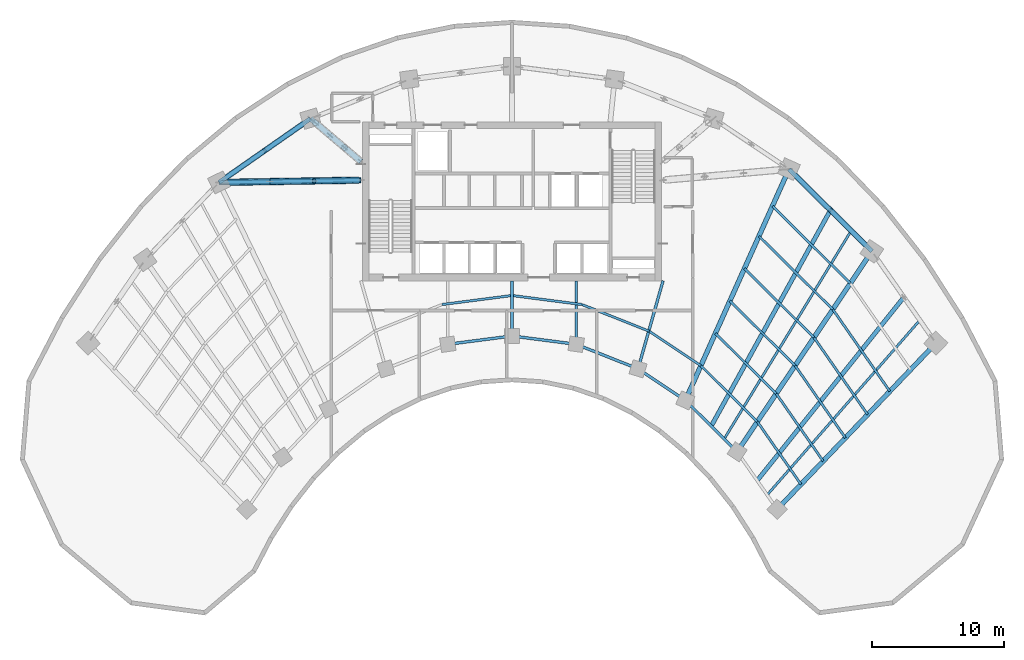
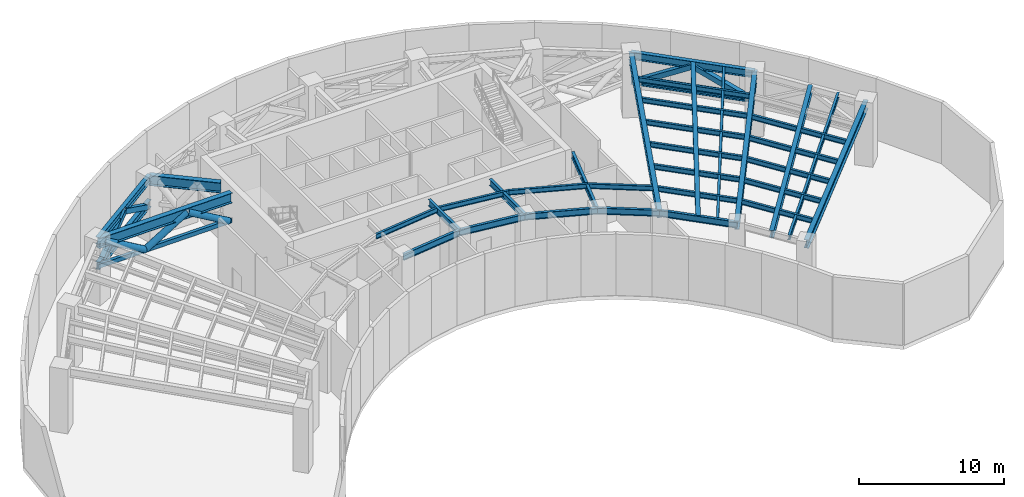
# One storey, part 2 of 10: 36 beams, 8 members.
"""IFC4 building model written with IfcOpenShell, lengths in metres."""

from ifc_helpers import new_model, si_unit, direction, frame, origin, origin_2d, place, context, subcontext, project, spatial, hollow_rectangle, hollow_circle, i_section, extrude, source, transform, mapped, material, material_profile, profile_set, type_object, type_shapes, element, save


model = new_model("IFC4")

# Units and contexts
model_context = context("Model", 3, precision=1e-05, world=origin(), true_north=direction((0.0, 1.0)))
body_context = subcontext(model_context, "Body", "Model", "MODEL_VIEW")
ifc_project = project(units=[si_unit("LENGTHUNIT", "METRE"), si_unit("AREAUNIT", "SQUARE_METRE"), si_unit("VOLUMEUNIT", "CUBIC_METRE"), si_unit("PLANEANGLEUNIT", "RADIAN"), si_unit("MASSUNIT", "GRAM", prefix="KILO")], contexts=[model_context])

# Site, building, storey
site_placement = place(None, origin())
site = spatial("IfcSite", under=ifc_project, at=site_placement, CompositionType="ELEMENT")
building_placement = place(site_placement, origin())
building = spatial("IfcBuilding", under=site, at=building_placement, Name="Breltana Convention Tower", CompositionType="ELEMENT")
storey_placement = place(building_placement, frame((0.0, 0.0, 85.800048828125)))
storey = spatial("IfcBuildingStorey", under=building, at=storey_placement, Name="L20", CompositionType="ELEMENT", Elevation=85.800048828125)

# Beam
ifc_material_1 = material(Name="Steel ASTM A992 Grade 50", Category="steel")
ifc_material_profile_1 = material_profile(ifc_material_1, i_section(OverallWidth=0.39990234375, OverallDepth=0.85595703125, WebThickness=0.018310546875, FlangeThickness=0.029296875, at=origin_2d()), Name="W33X201")
ifc_profile_set_1 = profile_set([ifc_material_profile_1], Name="Steel ASTM A992 Grade 50")
beam_type_1 = type_object("IfcBeamType", Name="BM-OT-W33X201", PredefinedType="USERDEFINED", material=ifc_profile_set_1)
shared_shape_1 = source(origin(), body_context, "Body", "SweptSolid", [
    extrude(i_section(OverallWidth=0.39990234375, OverallDepth=0.85595703125, WebThickness=0.018310546875, FlangeThickness=0.029296875, at=origin_2d()), origin(), (0.0, 0.0, 1.0), 10.7138671875),
])
type_shapes(beam_type_1, [shared_shape_1])
beam_1_placement = place(storey_placement, frame((36.60009765625, 67.800048828125, 4.721923828125), z_axis=(-0.999869477978, -0.016156330277, 0.0), x_axis=(0.016156330277, -0.999869477978, 0.0)))
element("IfcBeam", 1, at=beam_1_placement, inside=storey, type_object=beam_type_1, Name="L20 Outrigger Top Chord R03W", ObjectType="GIRDER", PredefinedType="USERDEFINED", context=body_context, shape_type="MappedRepresentation", body=[
    mapped(shared_shape_1, transform((0.0, 0.0, 0.0), scale=1.0)),
])

# Members
ifc_material_2 = material(Name="Steel EN 10210 S355J2H", Category="steel")
ifc_material_profile_2 = material_profile(ifc_material_2, hollow_rectangle(XDim=0.25, YDim=0.35009765625, WallThickness=0.011962890625, at=origin_2d()), Name="RHS350X250X12")
ifc_profile_set_2 = profile_set([ifc_material_profile_2], Name="Steel EN 10210 S355J2H")
member_type_1 = type_object("IfcMemberType", Name="MB-CH-RHS350X250X12", PredefinedType="CHORD", material=ifc_profile_set_2)
shared_shape_2 = source(origin(), body_context, "Body", "SweptSolid", [
    extrude(hollow_rectangle(XDim=0.25, YDim=0.35009765625, WallThickness=0.011962890625, at=origin_2d()), origin(), (0.0, 0.0, 1.0), 10.7138671875),
])
type_shapes(member_type_1, [shared_shape_2])
member_1_placement = place(storey_placement, frame((36.60009765625, 67.800048828125, 2.75), z_axis=(-0.999869477978, -0.016156330277, 0.0), x_axis=(0.016156330277, -0.999869477978, 0.0)))
element("IfcMember", 2, at=member_1_placement, inside=storey, type_object=member_type_1, Name="L20 Outrigger Truss Bottom Chord R03W", PredefinedType="CHORD", context=body_context, shape_type="MappedRepresentation", body=[
    mapped(shared_shape_2, transform((0.0, 0.0, 0.0), scale=1.0)),
])
ifc_material_profile_3 = material_profile(ifc_material_2, hollow_circle(Radius=0.25390625, WallThickness=0.02001953125, at=origin_2d()), Name="CHS508X20")
ifc_profile_set_3 = profile_set([ifc_material_profile_3], Name="Steel EN 10210 S355J2H")
member_type_2 = type_object("IfcMemberType", Name="MB-BR-CHS508X20", PredefinedType="BRACE", material=ifc_profile_set_3)
shared_shape_3 = source(origin(), body_context, "Body", "SweptSolid", [
    extrude(hollow_circle(Radius=0.25390625, WallThickness=0.02001953125, at=origin_2d()), origin(), (0.0, 0.0, 1.0), 3.876708984375),
])
for number, where, z_axis, x_axis, name in (
    (3, (36.39990234375, 67.796875, 2.75), (-0.860863204725, -0.013917393434, 0.50864609397), (0.016164676285, -0.999869343085, 0.0), "L20 Outrigger Truss Diagonal 1 R03W"),
    (4, (33.0625, 67.742919921875, 4.721923828125), (-0.860863204725, -0.013917393434, -0.50864609397), (0.016164676285, -0.999869343085, 0.0), "L20 Outrigger Truss Diagonal 2 R03W"),
    (5, (29.72509765625, 67.68896484375, 2.75), (-0.860863204725, -0.013917393434, 0.50864609397), (0.016164676285, -0.999869343085, 0.0), "L20 Outrigger Truss Diagonal 3 R03W"),
):
    element("IfcMember", number, at=place(storey_placement, frame(where, z_axis=z_axis, x_axis=x_axis)), inside=storey, type_object=member_type_2, Name=name, PredefinedType="BRACE", context=body_context, shape_type="MappedRepresentation", body=[
        mapped(shared_shape_3, transform((0.0, 0.0, 0.0), scale=1.0)),
    ])

# Beams
shared_shape_4 = source(origin(), body_context, "Body", "SweptSolid", [
    extrude(i_section(OverallWidth=0.39990234375, OverallDepth=0.85595703125, WebThickness=0.018310546875, FlangeThickness=0.029296875, at=origin_2d()), origin(), (0.0, 0.0, 1.0), 5.002197265625),
])
beam_2_placement = place(storey_placement, frame((36.60009765625, 69.199951171875, 4.721923828125), z_axis=(-0.761474293841, 0.648195109377, 0.0), x_axis=(-0.648195109377, -0.761474293841, 0.0)))
element("IfcBeam", 6, at=beam_2_placement, inside=storey, type_object=beam_type_1, Name="L20 Outrigger Top Chord R04N", ObjectType="GIRDER", PredefinedType="USERDEFINED", context=body_context, shape_type="MappedRepresentation", body=[
    mapped(shared_shape_4, transform((0.0, 0.0, 0.0), scale=1.0)),
])
ifc_material_profile_4 = material_profile(ifc_material_1, i_section(OverallWidth=0.323974609375, OverallDepth=0.611083984375, WebThickness=0.0126953125, FlangeThickness=0.01904296875, at=origin_2d()), Name="W24X104")
ifc_profile_set_4 = profile_set([ifc_material_profile_4], Name="Steel ASTM A992 Grade 50")
beam_type_2 = type_object("IfcBeamType", Name="BM-SP-W24X104", PredefinedType="SPANDREL", material=ifc_profile_set_4)
shared_shape_5 = source(origin(), body_context, "Body", "SweptSolid", [
    extrude(i_section(OverallWidth=0.323974609375, OverallDepth=0.611083984375, WebThickness=0.0126953125, FlangeThickness=0.01904296875, at=origin_2d()), origin(), (0.0, 0.0, 1.0), 8.4169921875),
])
for number, where, z_axis, x_axis, name in (
    (7, (25.8876953125, 67.626953125, 2.75), (0.820173800102, 0.572114444519, 0.0), (-0.572114444519, 0.820173800102, 0.0), "L20 Perimeter Belt Truss Sill Chord 03"),
    (8, (25.8876953125, 67.626953125, 4.844482421875), (0.820173800102, 0.572114444519, 0.0), (-0.572114444519, 0.820173800102, 0.0), "L20 Outer Spandrel Beam 03"),
):
    element("IfcBeam", number, at=place(storey_placement, frame(where, z_axis=z_axis, x_axis=x_axis)), inside=storey, type_object=beam_type_2, Name=name, PredefinedType="SPANDREL", context=body_context, shape_type="MappedRepresentation", body=[
        mapped(shared_shape_5, transform((0.0, 0.0, 0.0), scale=1.0)),
    ])

# Members
ifc_material_profile_5 = material_profile(ifc_material_2, hollow_rectangle(XDim=0.39990234375, YDim=0.39990234375, WallThickness=0.01611328125, at=origin_2d()), Name="RHS400X400X16")
ifc_profile_set_5 = profile_set([ifc_material_profile_5], Name="Steel EN 10210 S355J2H")
member_type_3 = type_object("IfcMemberType", Name="MB-BR-RHS400X400X16", PredefinedType="BRACE", material=ifc_profile_set_5)
shared_shape_6 = source(origin(), body_context, "Body", "SweptSolid", [
    extrude(hollow_rectangle(XDim=0.39990234375, YDim=0.39990234375, WallThickness=0.01611328125, at=origin_2d()), origin(), (0.0, 0.0, 1.0), 4.156005859375),
])
member_2_placement = place(storey_placement, frame((26.3388671875, 67.941650390625, 2.75), z_axis=(0.721948237439, 0.503660226835, 0.474465086558), x_axis=(-0.57216280693, 0.820140062651, 0.0)))
element("IfcMember", 9, at=member_2_placement, inside=storey, type_object=member_type_3, Name="L20 Perimeter Belt Truss Brace 03A", PredefinedType="BRACE", context=body_context, shape_type="MappedRepresentation", body=[
    mapped(shared_shape_6, transform((0.0, 0.0, 0.0), scale=1.0)),
])
shared_shape_7 = source(origin(), body_context, "Body", "SweptSolid", [
    extrude(hollow_rectangle(XDim=0.39990234375, YDim=0.39990234375, WallThickness=0.01611328125, at=origin_2d()), origin(), (0.0, 0.0, 1.0), 4.15576171875),
])
member_3_placement = place(storey_placement, frame((29.33935546875, 70.034912109375, 4.721923828125), z_axis=(0.721990955918, 0.503572536544, -0.474493161184), x_axis=(-0.572073024379, 0.820202691277, 0.0)))
element("IfcMember", 10, at=member_3_placement, inside=storey, type_object=member_type_3, Name="L20 Perimeter Belt Truss Brace 03B", PredefinedType="BRACE", context=body_context, shape_type="MappedRepresentation", body=[
    mapped(shared_shape_7, transform((0.0, 0.0, 0.0), scale=1.0)),
])

# Beams
shared_shape_8 = source(origin(), body_context, "Body", "SweptSolid", [
    extrude(i_section(OverallWidth=0.323974609375, OverallDepth=0.611083984375, WebThickness=0.0126953125, FlangeThickness=0.01904296875, at=origin_2d()), origin(), (0.0, 0.0, 1.0), 8.810302734375),
])
for number, where, z_axis, x_axis, name in (
    (11, (68.910400390625, 68.63330078125, 2.75), (0.710120823582, -0.704079836322, 0.0), (0.704079836322, 0.710120823582, 0.0), "L20 Perimeter Belt Truss Sill Chord 09"),
    (12, (68.910400390625, 68.63330078125, 4.844482421875), (0.710120823582, -0.704079836322, 0.0), (0.704079836322, 0.710120823582, 0.0), "L20 Outer Spandrel Beam 09"),
):
    element("IfcBeam", number, at=place(storey_placement, frame(where, z_axis=z_axis, x_axis=x_axis)), inside=storey, type_object=beam_type_2, Name=name, PredefinedType="SPANDREL", context=body_context, shape_type="MappedRepresentation", body=[
        mapped(shared_shape_8, transform((0.0, 0.0, 0.0), scale=1.0)),
    ])

# Members
shared_shape_9 = source(origin(), body_context, "Body", "SweptSolid", [
    extrude(hollow_rectangle(XDim=0.39990234375, YDim=0.39990234375, WallThickness=0.01611328125, at=origin_2d()), origin(), (0.0, 0.0, 1.0), 4.330078125),
])
for number, where, z_axis, x_axis, name in (
    (13, (69.301025390625, 68.24609375, 2.75), (0.632203367956, -0.626847145718, 0.455391652812), (0.704092253317, 0.710108512003, 0.0), "L20 Perimeter Belt Truss Brace 09A"),
    (14, (72.03857421875, 65.53173828125, 4.721923828125), (0.632203367956, -0.626847145718, -0.455391652812), (0.704092253317, 0.710108512003, 0.0), "L20 Perimeter Belt Truss Brace 09B"),
):
    element("IfcMember", number, at=place(storey_placement, frame(where, z_axis=z_axis, x_axis=x_axis)), inside=storey, type_object=member_type_3, Name=name, PredefinedType="BRACE", context=body_context, shape_type="MappedRepresentation", body=[
        mapped(shared_shape_9, transform((0.0, 0.0, 0.0), scale=1.0)),
    ])

# Beams
ifc_material_profile_6 = material_profile(ifc_material_1, i_section(OverallWidth=0.35498046875, OverallDepth=0.696044921875, WebThickness=0.015380859375, FlangeThickness=0.02490234375, at=origin_2d()), Name="W27X146")
ifc_profile_set_6 = profile_set([ifc_material_profile_6], Name="Steel ASTM A992 Grade 50")
beam_type_3 = type_object("IfcBeamType", Name="BM-RG-W27X146", PredefinedType="USERDEFINED", material=ifc_profile_set_6)
shared_shape_10 = source(origin(), body_context, "Body", "SweptSolid", [
    extrude(i_section(OverallWidth=0.35498046875, OverallDepth=0.696044921875, WebThickness=0.015380859375, FlangeThickness=0.02490234375, at=origin_2d()), origin(), (0.0, 0.0, 1.0), 17.341064453125),
])
type_shapes(beam_type_3, [shared_shape_10])
beam_3_placement = place(storey_placement, frame((68.015380859375, 42.95458984375, 4.802001953125), z_axis=(0.690716462293, 0.723125693581, 0.0), x_axis=(-0.723125693581, 0.690716462293, 0.0)))
element("IfcBeam", 15, at=beam_3_placement, inside=storey, type_object=beam_type_3, Name="L20 Radial Floor Girder R11", ObjectType="GIRDER", PredefinedType="USERDEFINED", context=body_context, shape_type="MappedRepresentation", body=[
    mapped(shared_shape_10, transform((0.0, 0.0, 0.0), scale=1.0)),
])
ifc_material_profile_7 = material_profile(ifc_material_1, i_section(OverallWidth=0.2099609375, OverallDepth=0.537109375, WebThickness=0.010986328125, FlangeThickness=0.017333984375, at=origin_2d()), Name="W21X68")
ifc_profile_set_7 = profile_set([ifc_material_profile_7], Name="Steel ASTM A992 Grade 50")
beam_type_4 = type_object("IfcBeamType", Name="BM-BM-W21X68", PredefinedType="BEAM", material=ifc_profile_set_7)
shared_shape_11 = source(origin(), body_context, "Body", "SweptSolid", [
    extrude(i_section(OverallWidth=0.2099609375, OverallDepth=0.537109375, WebThickness=0.010986328125, FlangeThickness=0.017333984375, at=origin_2d()), origin(), (0.0, 0.0, 1.0), 6.904541015625),
])
type_shapes(beam_type_4, [shared_shape_11])
beam_4_placement = place(storey_placement, frame((59.39990234375, 60.199951171875, 4.88134765625), z_axis=(-0.273006781054, -0.962012108811, 0.0), x_axis=(0.962012108811, -0.273006781054, 0.0)))
element("IfcBeam", 16, at=beam_4_placement, inside=storey, type_object=beam_type_4, Name="L20 South Core Tie Girder R08", PredefinedType="BEAM", context=body_context, shape_type="MappedRepresentation", body=[
    mapped(shared_shape_11, transform((0.0, 0.0, 0.0), scale=1.0)),
])
shared_shape_12 = source(origin(), body_context, "Body", "SweptSolid", [
    extrude(i_section(OverallWidth=0.2099609375, OverallDepth=0.537109375, WebThickness=0.010986328125, FlangeThickness=0.017333984375, at=origin_2d()), origin(), (0.0, 0.0, 1.0), 4.789306640625),
])
beam_5_placement = place(storey_placement, frame((52.846435546875, 60.199951171875, 4.88134765625), z_axis=(0.0, -1.0, 0.0), x_axis=(1.0, 0.0, 0.0)))
element("IfcBeam", 17, at=beam_5_placement, inside=storey, type_object=beam_type_4, Name="L20 South Core Tie Girder R07", PredefinedType="BEAM", context=body_context, shape_type="MappedRepresentation", body=[
    mapped(shared_shape_12, transform((0.0, 0.0, 0.0), scale=1.0)),
])
shared_shape_13 = source(origin(), body_context, "Body", "SweptSolid", [
    extrude(i_section(OverallWidth=0.2099609375, OverallDepth=0.537109375, WebThickness=0.010986328125, FlangeThickness=0.017333984375, at=origin_2d()), origin(), (0.0, 0.0, 1.0), 4.1640625),
])
beam_6_placement = place(storey_placement, frame((48.0, 60.199951171875, 4.88134765625), z_axis=(0.0, -1.0, 0.0), x_axis=(1.0, 0.0, 0.0)))
element("IfcBeam", 18, at=beam_6_placement, inside=storey, type_object=beam_type_4, Name="L20 South Core Tie Girder R06", PredefinedType="BEAM", context=body_context, shape_type="MappedRepresentation", body=[
    mapped(shared_shape_13, transform((0.0, 0.0, 0.0), scale=1.0)),
])
shared_shape_14 = source(origin(), body_context, "Body", "SweptSolid", [
    extrude(i_section(OverallWidth=0.35498046875, OverallDepth=0.696044921875, WebThickness=0.015380859375, FlangeThickness=0.02490234375, at=origin_2d()), origin(), (0.0, 0.0, 1.0), 19.133544921875),
])
beam_7_placement = place(storey_placement, frame((61.08203125, 51.174560546875, 4.802001953125), z_axis=(0.409144564164, 0.912469575172, 0.0), x_axis=(-0.912469575172, 0.409144564164, 0.0)))
element("IfcBeam", 19, at=beam_7_placement, inside=storey, type_object=beam_type_3, Name="L20 Radial Floor Girder R09", ObjectType="GIRDER", PredefinedType="USERDEFINED", context=body_context, shape_type="MappedRepresentation", body=[
    mapped(shared_shape_14, transform((0.0, 0.0, 0.0), scale=1.0)),
])
shared_shape_15 = source(origin(), body_context, "Body", "SweptSolid", [
    extrude(i_section(OverallWidth=0.35498046875, OverallDepth=0.696044921875, WebThickness=0.015380859375, FlangeThickness=0.02490234375, at=origin_2d()), origin(), (0.0, 0.0, 1.0), 18.236328125),
])
beam_8_placement = place(storey_placement, frame((64.995849609375, 47.293701171875, 4.802001953125), z_axis=(0.557730360975, 0.830022195153, 0.0), x_axis=(-0.830022195153, 0.557730360975, 0.0)))
element("IfcBeam", 20, at=beam_8_placement, inside=storey, type_object=beam_type_3, Name="L20 Radial Floor Girder R10", ObjectType="GIRDER", PredefinedType="USERDEFINED", context=body_context, shape_type="MappedRepresentation", body=[
    mapped(shared_shape_15, transform((0.0, 0.0, 0.0), scale=1.0)),
])
shared_shape_16 = source(origin(), body_context, "Body", "SweptSolid", [
    extrude(i_section(OverallWidth=0.2099609375, OverallDepth=0.537109375, WebThickness=0.010986328125, FlangeThickness=0.017333984375, at=origin_2d()), origin(), (0.0, 0.0, 1.0), 5.022705078125),
])
beam_9_placement = place(storey_placement, frame((52.846435546875, 55.41064453125, 4.88134765625), z_axis=(0.929458966248, -0.368925507469, 0.0), x_axis=(0.368925507469, 0.929458966248, 0.0)))
element("IfcBeam", 21, at=beam_9_placement, inside=storey, type_object=beam_type_4, Name="L20 Inner Ring Beam 07", PredefinedType="BEAM", context=body_context, shape_type="MappedRepresentation", body=[
    mapped(shared_shape_16, transform((0.0, 0.0, 0.0), scale=1.0)),
])
shared_shape_17 = source(origin(), body_context, "Body", "SweptSolid", [
    extrude(i_section(OverallWidth=0.2099609375, OverallDepth=0.537109375, WebThickness=0.010986328125, FlangeThickness=0.017333984375, at=origin_2d()), origin(), (0.0, 0.0, 1.0), 4.88671875),
])
for number, where, z_axis, x_axis, name in (
    (22, (43.153564453125, 55.41064453125, 4.88134765625), (0.991780525565, 0.127950729231, 0.0), (-0.127950729231, 0.991780525565, 0.0), "L20 Inner Ring Beam 05"),
    (23, (48.0, 56.035888671875, 4.88134765625), (0.991780525565, -0.127950729231, 0.0), (0.127950729231, 0.991780525565, 0.0), "L20 Inner Ring Beam 06"),
):
    element("IfcBeam", number, at=place(storey_placement, frame(where, z_axis=z_axis, x_axis=x_axis)), inside=storey, type_object=beam_type_4, Name=name, PredefinedType="BEAM", context=body_context, shape_type="MappedRepresentation", body=[
        mapped(shared_shape_17, transform((0.0, 0.0, 0.0), scale=1.0)),
    ])
shared_shape_18 = source(origin(), body_context, "Body", "SweptSolid", [
    extrude(i_section(OverallWidth=0.2099609375, OverallDepth=0.537109375, WebThickness=0.010986328125, FlangeThickness=0.017333984375, at=origin_2d()), origin(), (0.0, 0.0, 1.0), 4.2900390625),
])
beam_10_placement = place(storey_placement, frame((57.514892578125, 53.5576171875, 4.88134765625), z_axis=(0.831515827753, -0.555501060482, 0.0), x_axis=(0.555501060482, 0.831515827753, 0.0)))
element("IfcBeam", 24, at=beam_10_placement, inside=storey, type_object=beam_type_4, Name="L20 Inner Ring Beam 08", PredefinedType="BEAM", context=body_context, shape_type="MappedRepresentation", body=[
    mapped(shared_shape_18, transform((0.0, 0.0, 0.0), scale=1.0)),
])
shared_shape_19 = source(origin(), body_context, "Body", "SweptSolid", [
    extrude(i_section(OverallWidth=0.2099609375, OverallDepth=0.537109375, WebThickness=0.010986328125, FlangeThickness=0.017333984375, at=origin_2d()), origin(), (0.0, 0.0, 1.0), 5.51171875),
])
beam_11_placement = place(storey_placement, frame((61.08203125, 51.174560546875, 4.88134765625), z_axis=(0.710090360749, -0.704110559196, 0.0), x_axis=(0.704110559196, 0.710090360749, 0.0)))
element("IfcBeam", 25, at=beam_11_placement, inside=storey, type_object=beam_type_4, Name="L20 Inner Ring Beam 09", PredefinedType="BEAM", context=body_context, shape_type="MappedRepresentation", body=[
    mapped(shared_shape_19, transform((0.0, 0.0, 0.0), scale=1.0)),
])
ifc_material_profile_8 = material_profile(ifc_material_1, i_section(OverallWidth=0.323974609375, OverallDepth=0.611083984375, WebThickness=0.0126953125, FlangeThickness=0.01904296875, at=origin_2d()), Name="W24X104")
ifc_profile_set_8 = profile_set([ifc_material_profile_8], Name="Steel ASTM A992 Grade 50")
beam_type_5 = type_object("IfcBeamType", Name="BM-JSG-01", PredefinedType="JOIST", material=ifc_profile_set_8)
shared_shape_20 = source(origin(), body_context, "Body", "SweptSolid", [
    extrude(i_section(OverallWidth=0.323974609375, OverallDepth=0.611083984375, WebThickness=0.0126953125, FlangeThickness=0.01904296875, at=origin_2d()), origin(), (0.0, 0.0, 1.0), 18.617431640625),
])
beam_12_placement = place(storey_placement, frame((63.038818359375, 49.234130859375, 4.844482421875), z_axis=(0.483405602507, 0.875396495004, 0.0), x_axis=(-0.875396495004, 0.483405602507, 0.0)))
element("IfcBeam", 26, at=beam_12_placement, inside=storey, type_object=beam_type_5, Name="L20 Mid-Bay Radial Trimmer 09", PredefinedType="JOIST", context=body_context, shape_type="MappedRepresentation", body=[
    mapped(shared_shape_20, transform((0.0, 0.0, 0.0), scale=1.0)),
])
ifc_material_profile_9 = material_profile(ifc_material_1, i_section(OverallWidth=0.179931640625, OverallDepth=0.4130859375, WebThickness=0.009765625, FlangeThickness=0.01611328125, at=origin_2d()), Name="W16X50")
ifc_profile_set_9 = profile_set([ifc_material_profile_9], Name="Steel ASTM A992 Grade 50")
beam_type_6 = type_object("IfcBeamType", Name="BM-JSG-08", PredefinedType="JOIST", material=ifc_profile_set_9)
shared_shape_21 = source(origin(), body_context, "Body", "SweptSolid", [
    extrude(i_section(OverallWidth=0.179931640625, OverallDepth=0.4130859375, WebThickness=0.009765625, FlangeThickness=0.01611328125, at=origin_2d()), origin(), (0.0, 0.0, 1.0), 18.409423828125),
])
beam_13_placement = place(storey_placement, frame((64.017333984375, 48.263916015625, 4.943359375), z_axis=(0.520682167606, 0.853750596098, 0.0), x_axis=(-0.853750596098, 0.520682167606, 0.0)))
element("IfcBeam", 27, at=beam_13_placement, inside=storey, type_object=beam_type_6, Name="L20 Quarter-Bay Radial Trimmer 09", PredefinedType="JOIST", context=body_context, shape_type="MappedRepresentation", body=[
    mapped(shared_shape_21, transform((0.0, 0.0, 0.0), scale=1.0)),
])
shared_shape_22 = source(origin(), body_context, "Body", "SweptSolid", [
    extrude(i_section(OverallWidth=0.323974609375, OverallDepth=0.611083984375, WebThickness=0.0126953125, FlangeThickness=0.01904296875, at=origin_2d()), origin(), (0.0, 0.0, 1.0), 17.7236328125),
])
beam_14_placement = place(storey_placement, frame((66.505615234375, 45.124267578125, 4.844482421875), z_axis=(0.624829427563, 0.78076128647, 0.0), x_axis=(-0.78076128647, 0.624829427563, 0.0)))
element("IfcBeam", 28, at=beam_14_placement, inside=storey, type_object=beam_type_5, Name="L20 Mid-Bay Radial Trimmer 10", PredefinedType="JOIST", context=body_context, shape_type="MappedRepresentation", body=[
    mapped(shared_shape_22, transform((0.0, 0.0, 0.0), scale=1.0)),
])
shared_shape_23 = source(origin(), body_context, "Body", "SweptSolid", [
    extrude(i_section(OverallWidth=0.179931640625, OverallDepth=0.4130859375, WebThickness=0.009765625, FlangeThickness=0.01611328125, at=origin_2d()), origin(), (0.0, 0.0, 1.0), 17.515625),
])
beam_15_placement = place(storey_placement, frame((67.260498046875, 44.03955078125, 4.943359375), z_axis=(0.658051548324, 0.752972881151, 0.0), x_axis=(-0.752972881151, 0.658051548324, 0.0)))
element("IfcBeam", 29, at=beam_15_placement, inside=storey, type_object=beam_type_6, Name="L20 Quarter-Bay Radial Trimmer 10", PredefinedType="JOIST", context=body_context, shape_type="MappedRepresentation", body=[
    mapped(shared_shape_23, transform((0.0, 0.0, 0.0), scale=1.0)),
])
shared_shape_24 = source(origin(), body_context, "Body", "SweptSolid", [
    extrude(i_section(OverallWidth=0.179931640625, OverallDepth=0.4130859375, WebThickness=0.009765625, FlangeThickness=0.01611328125, at=origin_2d()), origin(), (0.0, 0.0, 1.0), 5.473876953125),
])
beam_16_placement = place(storey_placement, frame((53.281494140625, 58.409912109375, 4.943359375), z_axis=(0.92945162863, -0.368943993091, 0.0), x_axis=(0.368943993091, 0.92945162863, 0.0)))
element("IfcBeam", 30, at=beam_16_placement, inside=storey, type_object=beam_type_6, Name="L20 Composite Floor Joist 07.1", PredefinedType="JOIST", context=body_context, shape_type="MappedRepresentation", body=[
    mapped(shared_shape_24, transform((0.0, 0.0, 0.0), scale=1.0)),
])
shared_shape_25 = source(origin(), body_context, "Body", "SweptSolid", [
    extrude(i_section(OverallWidth=0.179931640625, OverallDepth=0.4130859375, WebThickness=0.009765625, FlangeThickness=0.01611328125, at=origin_2d()), origin(), (0.0, 0.0, 1.0), 5.3251953125),
])
for number, where, z_axis, x_axis, name in (
    (31, (42.718505859375, 58.409912109375, 4.943359375), (0.991779931204, 0.127955336199, 0.0), (-0.127955336199, 0.991779931204, 0.0), "L20 Composite Floor Joist 05.1"),
    (32, (48.0, 59.09130859375, 4.943359375), (0.991779931204, -0.127955336199, 0.0), (0.127955336199, 0.991779931204, 0.0), "L20 Composite Floor Joist 06.1"),
):
    element("IfcBeam", number, at=place(storey_placement, frame(where, z_axis=z_axis, x_axis=x_axis)), inside=storey, type_object=beam_type_6, Name=name, PredefinedType="JOIST", context=body_context, shape_type="MappedRepresentation", body=[
        mapped(shared_shape_25, transform((0.0, 0.0, 0.0), scale=1.0)),
    ])
shared_shape_26 = source(origin(), body_context, "Body", "SweptSolid", [
    extrude(i_section(OverallWidth=0.179931640625, OverallDepth=0.4130859375, WebThickness=0.009765625, FlangeThickness=0.01611328125, at=origin_2d()), origin(), (0.0, 0.0, 1.0), 4.675048828125),
])
beam_17_placement = place(storey_placement, frame((58.369140625, 56.390380859375, 4.943359375), z_axis=(0.831487469976, -0.555543506193, 0.0), x_axis=(0.555543506193, 0.831487469976, 0.0)))
element("IfcBeam", 33, at=beam_17_placement, inside=storey, type_object=beam_type_6, Name="L20 Composite Floor Joist 08.1", PredefinedType="JOIST", context=body_context, shape_type="MappedRepresentation", body=[
    mapped(shared_shape_26, transform((0.0, 0.0, 0.0), scale=1.0)),
])
shared_shape_27 = source(origin(), body_context, "Body", "SweptSolid", [
    extrude(i_section(OverallWidth=0.179931640625, OverallDepth=0.4130859375, WebThickness=0.009765625, FlangeThickness=0.01611328125, at=origin_2d()), origin(), (0.0, 0.0, 1.0), 6.00634765625),
])
beam_18_placement = place(storey_placement, frame((62.25634765625, 53.793212890625, 4.943359375), z_axis=(0.710108283635, -0.704092483636, 0.0), x_axis=(0.704092483636, 0.710108283635, 0.0)))
element("IfcBeam", 34, at=beam_18_placement, inside=storey, type_object=beam_type_6, Name="L20 Composite Floor Joist 09.1", PredefinedType="JOIST", context=body_context, shape_type="MappedRepresentation", body=[
    mapped(shared_shape_27, transform((0.0, 0.0, 0.0), scale=1.0)),
])
shared_shape_28 = source(origin(), body_context, "Body", "SweptSolid", [
    extrude(i_section(OverallWidth=0.179931640625, OverallDepth=0.4130859375, WebThickness=0.009765625, FlangeThickness=0.01611328125, at=origin_2d()), origin(), (0.0, 0.0, 1.0), 6.468017578125),
])
beam_19_placement = place(storey_placement, frame((63.352294921875, 56.237548828125, 4.943359375), z_axis=(0.710101160442, -0.704099667617, 0.0), x_axis=(0.704099667617, 0.710101160442, 0.0)))
element("IfcBeam", 35, at=beam_19_placement, inside=storey, type_object=beam_type_6, Name="L20 Composite Floor Joist 09.2", PredefinedType="JOIST", context=body_context, shape_type="MappedRepresentation", body=[
    mapped(shared_shape_28, transform((0.0, 0.0, 0.0), scale=1.0)),
])
shared_shape_29 = source(origin(), body_context, "Body", "SweptSolid", [
    extrude(i_section(OverallWidth=0.179931640625, OverallDepth=0.4130859375, WebThickness=0.009765625, FlangeThickness=0.01611328125, at=origin_2d()), origin(), (0.0, 0.0, 1.0), 6.93017578125),
])
beam_20_placement = place(storey_placement, frame((64.4482421875, 58.681884765625, 4.943359375), z_axis=(0.710112451674, -0.70408827996, 0.0), x_axis=(0.70408827996, 0.710112451674, 0.0)))
element("IfcBeam", 36, at=beam_20_placement, inside=storey, type_object=beam_type_6, Name="L20 Composite Floor Joist 09.3", PredefinedType="JOIST", context=body_context, shape_type="MappedRepresentation", body=[
    mapped(shared_shape_29, transform((0.0, 0.0, 0.0), scale=1.0)),
])
shared_shape_30 = source(origin(), body_context, "Body", "SweptSolid", [
    extrude(i_section(OverallWidth=0.179931640625, OverallDepth=0.4130859375, WebThickness=0.009765625, FlangeThickness=0.01611328125, at=origin_2d()), origin(), (0.0, 0.0, 1.0), 7.391845703125),
])
beam_21_placement = place(storey_placement, frame((65.544189453125, 61.1259765625, 4.943359375), z_axis=(0.710105958319, -0.704094828812, 0.0), x_axis=(0.704094828812, 0.710105958319, 0.0)))
element("IfcBeam", 37, at=beam_21_placement, inside=storey, type_object=beam_type_6, Name="L20 Composite Floor Joist 09.4", PredefinedType="JOIST", context=body_context, shape_type="MappedRepresentation", body=[
    mapped(shared_shape_30, transform((0.0, 0.0, 0.0), scale=1.0)),
])
shared_shape_31 = source(origin(), body_context, "Body", "SweptSolid", [
    extrude(i_section(OverallWidth=0.179931640625, OverallDepth=0.4130859375, WebThickness=0.009765625, FlangeThickness=0.01611328125, at=origin_2d()), origin(), (0.0, 0.0, 1.0), 7.853759765625),
])
beam_22_placement = place(storey_placement, frame((66.64013671875, 63.5703125, 4.943359375), z_axis=(0.710115639208, -0.70408506514, 0.0), x_axis=(0.70408506514, 0.710115639208, 0.0)))
element("IfcBeam", 38, at=beam_22_placement, inside=storey, type_object=beam_type_6, Name="L20 Composite Floor Joist 09.5", PredefinedType="JOIST", context=body_context, shape_type="MappedRepresentation", body=[
    mapped(shared_shape_31, transform((0.0, 0.0, 0.0), scale=1.0)),
])
shared_shape_32 = source(origin(), body_context, "Body", "SweptSolid", [
    extrude(i_section(OverallWidth=0.179931640625, OverallDepth=0.4130859375, WebThickness=0.009765625, FlangeThickness=0.01611328125, at=origin_2d()), origin(), (0.0, 0.0, 1.0), 8.2822265625),
])
beam_23_placement = place(storey_placement, frame((67.657958984375, 65.83984375, 4.943359375), z_axis=(0.710107068817, -0.704093708832, 0.0), x_axis=(0.704093708832, 0.710107068817, 0.0)))
element("IfcBeam", 39, at=beam_23_placement, inside=storey, type_object=beam_type_6, Name="L20 Composite Floor Joist 09.6", PredefinedType="JOIST", context=body_context, shape_type="MappedRepresentation", body=[
    mapped(shared_shape_32, transform((0.0, 0.0, 0.0), scale=1.0)),
])
shared_shape_33 = source(origin(), body_context, "Body", "SweptSolid", [
    extrude(i_section(OverallWidth=0.179931640625, OverallDepth=0.4130859375, WebThickness=0.009765625, FlangeThickness=0.01611328125, at=origin_2d()), origin(), (0.0, 0.0, 1.0), 5.760986328125),
])
beam_24_placement = place(storey_placement, frame((66.521484375, 49.564208984375, 4.943359375), z_axis=(0.571224653223, -0.820793759449, 0.0), x_axis=(0.820793759449, 0.571224653223, 0.0)))
element("IfcBeam", 40, at=beam_24_placement, inside=storey, type_object=beam_type_6, Name="L20 Composite Floor Joist 10.1", PredefinedType="JOIST", context=body_context, shape_type="MappedRepresentation", body=[
    mapped(shared_shape_33, transform((0.0, 0.0, 0.0), scale=1.0)),
])
shared_shape_34 = source(origin(), body_context, "Body", "SweptSolid", [
    extrude(i_section(OverallWidth=0.179931640625, OverallDepth=0.4130859375, WebThickness=0.009765625, FlangeThickness=0.01611328125, at=origin_2d()), origin(), (0.0, 0.0, 1.0), 6.203857421875),
])
beam_25_placement = place(storey_placement, frame((67.9453125, 51.683349609375, 4.943359375), z_axis=(0.571217832032, -0.820798506558, 0.0), x_axis=(0.820798506558, 0.571217832032, 0.0)))
element("IfcBeam", 41, at=beam_25_placement, inside=storey, type_object=beam_type_6, Name="L20 Composite Floor Joist 10.2", PredefinedType="JOIST", context=body_context, shape_type="MappedRepresentation", body=[
    mapped(shared_shape_34, transform((0.0, 0.0, 0.0), scale=1.0)),
])
shared_shape_35 = source(origin(), body_context, "Body", "SweptSolid", [
    extrude(i_section(OverallWidth=0.179931640625, OverallDepth=0.4130859375, WebThickness=0.009765625, FlangeThickness=0.01611328125, at=origin_2d()), origin(), (0.0, 0.0, 1.0), 6.646728515625),
])
beam_26_placement = place(storey_placement, frame((69.369384765625, 53.802490234375, 4.943359375), z_axis=(0.571194698527, -0.820814605362, 0.0), x_axis=(0.820814605362, 0.571194698527, 0.0)))
element("IfcBeam", 42, at=beam_26_placement, inside=storey, type_object=beam_type_6, Name="L20 Composite Floor Joist 10.3", PredefinedType="JOIST", context=body_context, shape_type="MappedRepresentation", body=[
    mapped(shared_shape_35, transform((0.0, 0.0, 0.0), scale=1.0)),
])
shared_shape_36 = source(origin(), body_context, "Body", "SweptSolid", [
    extrude(i_section(OverallWidth=0.179931640625, OverallDepth=0.4130859375, WebThickness=0.009765625, FlangeThickness=0.01611328125, at=origin_2d()), origin(), (0.0, 0.0, 1.0), 7.089599609375),
])
beam_27_placement = place(storey_placement, frame((70.793212890625, 55.92138671875, 4.943359375), z_axis=(0.571206746165, -0.820806221429, 0.0), x_axis=(0.820806221429, 0.571206746165, 0.0)))
element("IfcBeam", 43, at=beam_27_placement, inside=storey, type_object=beam_type_6, Name="L20 Composite Floor Joist 10.4", PredefinedType="JOIST", context=body_context, shape_type="MappedRepresentation", body=[
    mapped(shared_shape_36, transform((0.0, 0.0, 0.0), scale=1.0)),
])
shared_shape_37 = source(origin(), body_context, "Body", "SweptSolid", [
    extrude(i_section(OverallWidth=0.179931640625, OverallDepth=0.4130859375, WebThickness=0.009765625, FlangeThickness=0.01611328125, at=origin_2d()), origin(), (0.0, 0.0, 1.0), 7.5322265625),
])
beam_28_placement = place(storey_placement, frame((72.21728515625, 58.04052734375, 4.943359375), z_axis=(0.57120218088, -0.820809398434, 0.0), x_axis=(0.820809398434, 0.57120218088, 0.0)))
element("IfcBeam", 44, at=beam_28_placement, inside=storey, type_object=beam_type_6, Name="L20 Composite Floor Joist 10.5", PredefinedType="JOIST", context=body_context, shape_type="MappedRepresentation", body=[
    mapped(shared_shape_37, transform((0.0, 0.0, 0.0), scale=1.0)),
])

save(model, "model.ifc")
